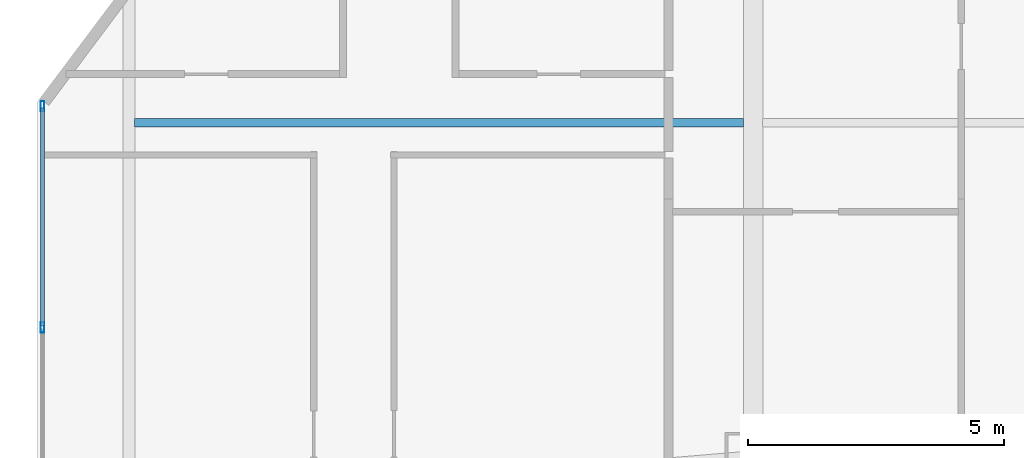
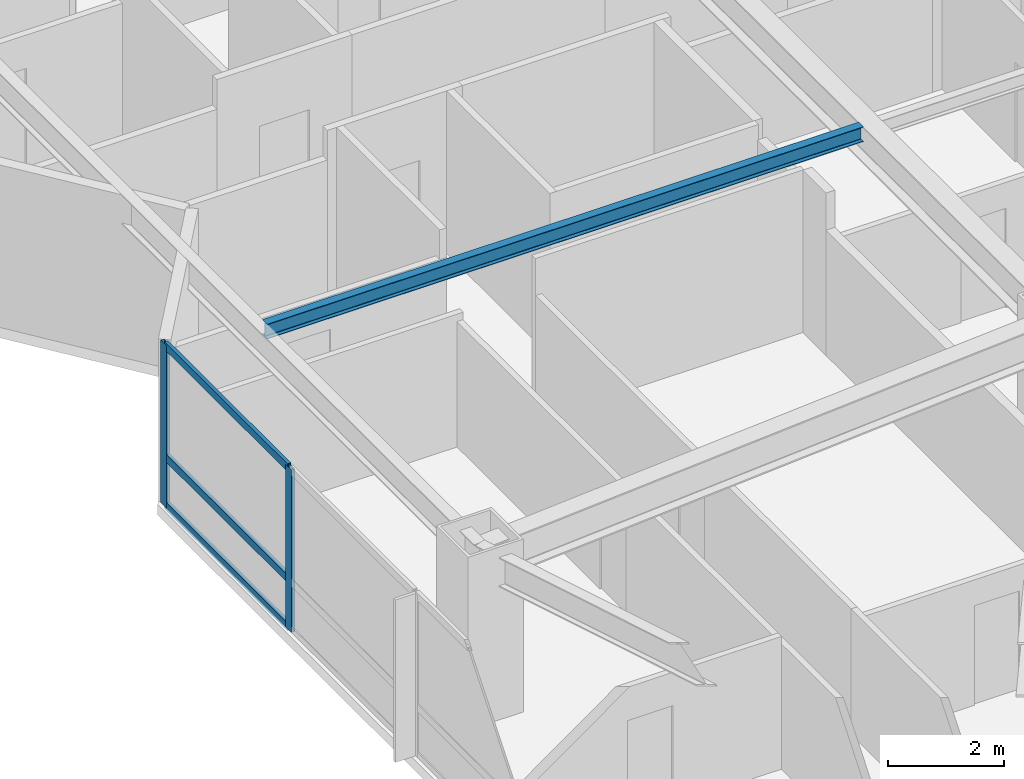
# One storey, part 6 of 18: 5 members, 1 beam, 1 element without a shape of its own.
"""IFC4 building model written with IfcOpenShell, lengths in metres."""

from ifc_helpers import new_model, si_unit, direction, frame, origin, origin_2d, place, context, subcontext, project, spatial, hollow_rectangle, i_section, extrude, material, material_profile, profile_set, type_object, element, aggregate, save


model = new_model("IFC4")

# Units and contexts
model_context = context("Model", 3, precision=1e-05, world=origin(), true_north=direction((0.0, 1.0)))
body_context = subcontext(model_context, "Body", "Model", "MODEL_VIEW")
ifc_project = project(units=[si_unit("LENGTHUNIT", "METRE"), si_unit("AREAUNIT", "SQUARE_METRE"), si_unit("VOLUMEUNIT", "CUBIC_METRE"), si_unit("PLANEANGLEUNIT", "RADIAN"), si_unit("MASSUNIT", "GRAM", prefix="KILO")], contexts=[model_context])

# Site, building, storey
site_placement = place(None, origin())
site = spatial("IfcSite", under=ifc_project, at=site_placement, CompositionType="ELEMENT")
building_placement = place(site_placement, origin())
building = spatial("IfcBuilding", under=site, at=building_placement, Name="Khamvora Tower", CompositionType="ELEMENT")
storey_placement = place(building_placement, frame((0.0, 0.0, 69.800048828125)))
storey = spatial("IfcBuildingStorey", under=building, at=storey_placement, Name="L17", CompositionType="ELEMENT", Elevation=69.800048828125)

# Beam
ifc_material_1 = material(Name="Steel S355", Category="steel")
ifc_material_profile_1 = material_profile(ifc_material_1, i_section(OverallWidth=0.166015625, OverallDepth=0.31298828125, WebThickness=0.007080078125, FlangeThickness=0.010986328125, FilletRadius=0.010009765625, at=origin_2d()), Name="W310x45")
ifc_profile_set_1 = profile_set([ifc_material_profile_1], Name="Steel S355")
beam_type = type_object("IfcBeamType", Name="BM-JS-W310x45", PredefinedType="JOIST", material=ifc_profile_set_1)
beam_placement = place(storey_placement, frame((5.909912109375, 24.39990234375, 3.27392578125), z_axis=(1.0, 0.0, 0.0), x_axis=(0.0, 1.0, 0.0)))
element("IfcBeam", 1, at=beam_placement, inside=storey, type_object=beam_type, Name="L17 secondary floor joist 04", PredefinedType="JOIST", context=body_context, shape_type="SweptSolid", body=[
    extrude(i_section(OverallWidth=0.166015625, OverallDepth=0.31298828125, WebThickness=0.007080078125, FlangeThickness=0.010986328125, FilletRadius=0.010009765625, at=origin_2d()), origin(), (0.0, 0.0, 1.0), 11.904052734375),
])

# Curtain wall, members
ifc_material_2 = material(Name="Anodised Aluminium 6063-T6", Category="aluminium")
curtain_wall_type = type_object("IfcCurtainWallType", Name="CW-SYS-02", PredefinedType="NOTDEFINED", material=ifc_material_2)
curtain_wall_placement = place(storey_placement, origin())
curtain_wall = element("IfcCurtainWall", 2, at=curtain_wall_placement, inside=storey, type_object=curtain_wall_type, Name="L17 stick curtain wall 02.1", PredefinedType="NOTDEFINED")
ifc_material_profile_2 = material_profile(ifc_material_2, hollow_rectangle(XDim=0.070068359375, YDim=0.199951171875, WallThickness=0.0048828125, at=origin_2d()), Name="MUL70x200x5")
ifc_profile_set_2 = profile_set([ifc_material_profile_2], Name="Anodised Aluminium 6063-T6")
member_type_1 = type_object("IfcMemberType", Name="CW-SYS-02-MUL", PredefinedType="MULLION", material=ifc_profile_set_2)
member_1_placement = place(storey_placement, frame((4.110107421875, 20.401611328125, 0.0), z_axis=(0.0, 0.0, 1.0), x_axis=(-1.0, 0.0, 0.0)))
member_1 = element("IfcMember", 3, at=member_1_placement, type_object=member_type_1, Name="CW-02 mullion 4", PredefinedType="MULLION", context=body_context, shape_type="SweptSolid", body=[
    extrude(hollow_rectangle(XDim=0.070068359375, YDim=0.199951171875, WallThickness=0.0048828125, at=origin_2d()), origin(), (0.0, 0.0, 1.0), 3.429931640625),
])
member_2_placement = place(storey_placement, frame((4.110107421875, 24.72802734375, 0.0), z_axis=(0.0, 0.0, 1.0), x_axis=(-1.0, 0.0, 0.0)))
member_2 = element("IfcMember", 4, at=member_2_placement, type_object=member_type_1, Name="CW-02 mullion 5", PredefinedType="MULLION", context=body_context, shape_type="SweptSolid", body=[
    extrude(hollow_rectangle(XDim=0.070068359375, YDim=0.199951171875, WallThickness=0.0048828125, at=origin_2d()), origin(), (0.0, 0.0, 1.0), 3.429931640625),
])
ifc_material_profile_3 = material_profile(ifc_material_2, hollow_rectangle(XDim=0.070068359375, YDim=0.1650390625, WallThickness=0.0048828125, at=origin_2d()), Name="TRN70x165x5")
ifc_profile_set_3 = profile_set([ifc_material_profile_3], Name="Anodised Aluminium 6063-T6")
member_type_2 = type_object("IfcMemberType", Name="CW-SYS-02-TRN", PredefinedType="USERDEFINED", material=ifc_profile_set_3)
member_3_placement = place(storey_placement, frame((4.110107421875, 20.4365234375, 0.034912109375), z_axis=(0.0, 1.0, 0.0), x_axis=(-1.0, 0.0, 0.0)))
member_3 = element("IfcMember", 5, at=member_3_placement, type_object=member_type_2, Name="CW-02 transom 4.1", ObjectType="TRANSOM", PredefinedType="USERDEFINED", context=body_context, shape_type="SweptSolid", body=[
    extrude(hollow_rectangle(XDim=0.070068359375, YDim=0.1650390625, WallThickness=0.0048828125, at=origin_2d()), origin(), (0.0, 0.0, 1.0), 4.256591796875),
])
member_4_placement = place(storey_placement, frame((4.110107421875, 20.4365234375, 1.050048828125), z_axis=(0.0, 1.0, 0.0), x_axis=(-1.0, 0.0, 0.0)))
member_4 = element("IfcMember", 6, at=member_4_placement, type_object=member_type_2, Name="CW-02 transom 4.2", ObjectType="TRANSOM", PredefinedType="USERDEFINED", context=body_context, shape_type="SweptSolid", body=[
    extrude(hollow_rectangle(XDim=0.070068359375, YDim=0.1650390625, WallThickness=0.0048828125, at=origin_2d()), origin(), (0.0, 0.0, 1.0), 4.256591796875),
])
member_5_placement = place(storey_placement, frame((4.110107421875, 20.4365234375, 3.39501953125), z_axis=(0.0, 1.0, 0.0), x_axis=(-1.0, 0.0, 0.0)))
member_5 = element("IfcMember", 7, at=member_5_placement, type_object=member_type_2, Name="CW-02 transom 4.3", ObjectType="TRANSOM", PredefinedType="USERDEFINED", context=body_context, shape_type="SweptSolid", body=[
    extrude(hollow_rectangle(XDim=0.070068359375, YDim=0.1650390625, WallThickness=0.0048828125, at=origin_2d()), origin(), (0.0, 0.0, 1.0), 4.256591796875),
])
aggregate(curtain_wall, [member_1, member_2, member_3, member_4, member_5])

save(model, "model.ifc")
